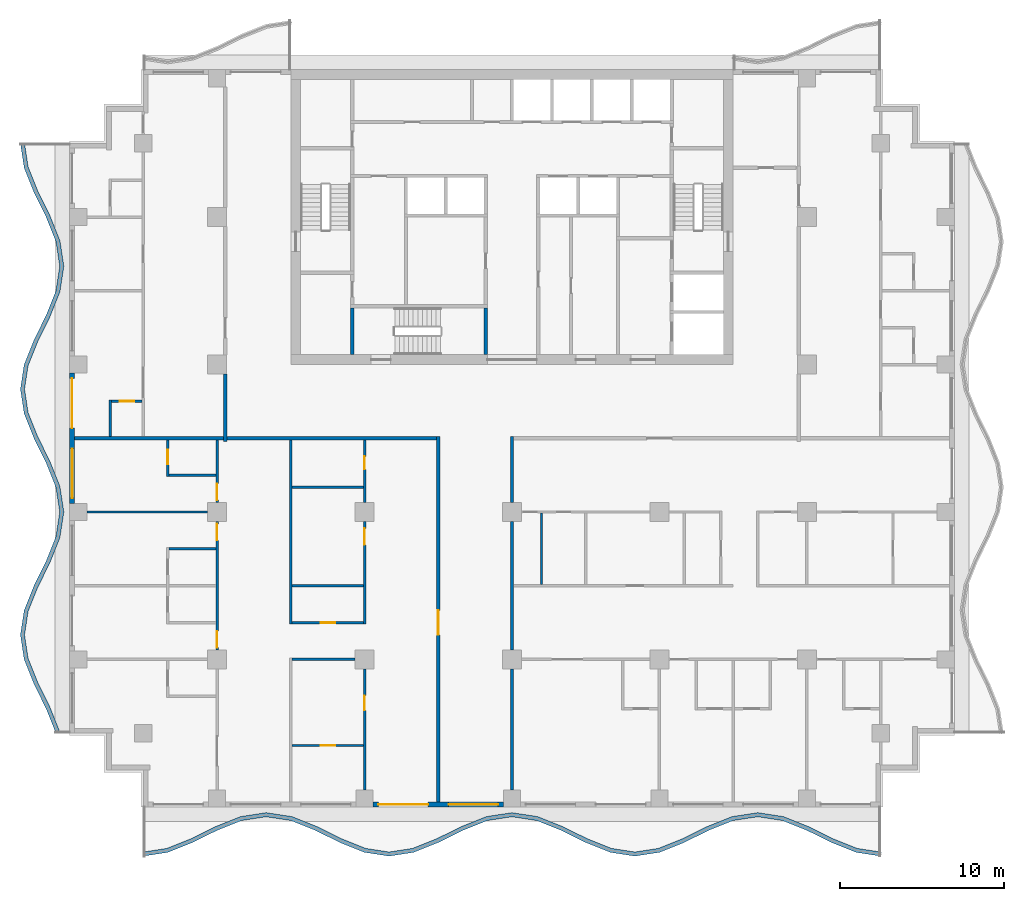
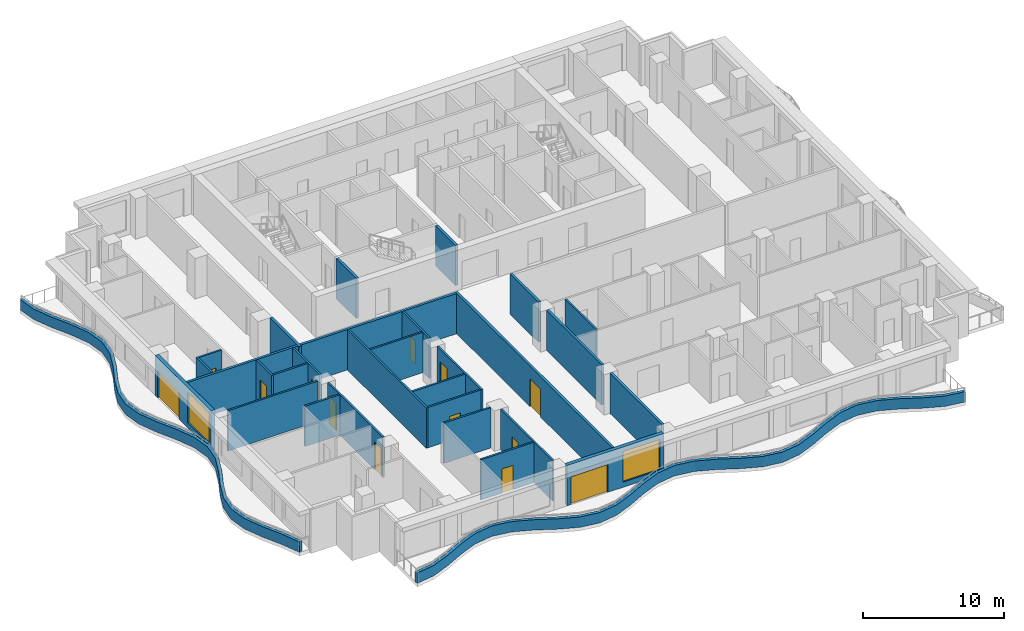
# One storey, part 2 of 11: 31 walls, 13 doors, 2 windows, 15 openings.
"""IFC4 building model written with IfcOpenShell, lengths in metres."""

from ifc_helpers import new_model, si_unit, direction, frame, frame_2d, origin, place, context, subcontext, project, spatial, polyline, rectangle, outline, extrude, material, layer, layer_set, type_object, element, fill, save


model = new_model("IFC4")

# Units and contexts
model_context = context("Model", 3, precision=1e-05, world=origin(), true_north=direction((0.0, 1.0)))
body_context = subcontext(model_context, "Body", "Model", "MODEL_VIEW")
ifc_project = project(units=[si_unit("LENGTHUNIT", "METRE"), si_unit("AREAUNIT", "SQUARE_METRE"), si_unit("VOLUMEUNIT", "CUBIC_METRE"), si_unit("PLANEANGLEUNIT", "RADIAN"), si_unit("MASSUNIT", "GRAM", prefix="KILO")], contexts=[model_context])

# Site, building, storey
site_placement = place(None, origin())
site = spatial("IfcSite", under=ifc_project, at=site_placement, CompositionType="ELEMENT")
building_placement = place(site_placement, origin())
building = spatial("IfcBuilding", under=site, at=building_placement, Name="Orbiselva Terraces", CompositionType="ELEMENT")
storey_placement = place(building_placement, frame((0.0, 0.0, 188.2)))
storey = spatial("IfcBuildingStorey", under=building, at=storey_placement, Name="L47", CompositionType="ELEMENT", Elevation=188.2)

# Walls
ifc_material_1 = material(Name="Concrete C60/75", Category="concrete")
ifc_layer_1 = layer(ifc_material_1, 0.2)
ifc_layer_set_1 = layer_set([ifc_layer_1], Name="Concrete C60/75")
wall_type_1 = type_object("IfcWallType", Name="CORE-WALL-SHEAR-200", PredefinedType="SHEAR", material=ifc_layer_set_1)
for number, where, z_axis, x_axis, name in (
    (1, (-9.75, 5.1, 0.0), (0.0, 0.0, 1.0), (0.0, 1.0, 0.0), "L47 core wall 03"),
    (2, (-1.6, 5.1, 0.0), (0.0, 0.0, 1.0), (0.0, 1.0, 0.0), "L47 core wall 17"),
):
    element("IfcWall", number, at=place(storey_placement, frame(where, z_axis=z_axis, x_axis=x_axis)), inside=storey, type_object=wall_type_1, Name=name, PredefinedType="SHEAR", context=body_context, shape_type="SweptSolid", body=[
        extrude(rectangle(XDim=2.85, YDim=0.2, at=frame_2d((1.425, 0.0))), origin(), (0.0, 0.0, 1.0), 3.5),
    ])
ifc_material_2 = material(Name="Concrete C40/50", Category="concrete")
ifc_layer_2 = layer(ifc_material_2, 0.25)
ifc_layer_set_2 = layer_set([ifc_layer_2], Name="Concrete C40/50")
wall_type_2 = type_object("IfcWallType", Name="ENV-PLANTER-250x900", PredefinedType="USERDEFINED", material=ifc_layer_set_2)
wall_1_placement = place(storey_placement, origin())
element("IfcWall", 3, at=wall_1_placement, inside=storey, type_object=wall_type_2, Name="Balcony planter L47 S", ObjectType="PLANTER", PredefinedType="USERDEFINED", context=body_context, shape_type="SweptSolid", body=[
    extrude(outline(polyline([(-22.5, -25.5), (-21.0, -25.27082), (-19.5, -24.67082), (-18.0, -23.92918), (-16.5, -23.32918), (-15.0, -23.1), (-13.5, -23.32918), (-12.0, -23.92918), (-10.5, -24.67082), (-9.0, -25.27082), (-7.5, -25.5), (-6.0, -25.27082), (-4.5, -24.67082), (-3.0, -23.92918), (-1.5, -23.32918), (0.0, -23.1), (1.5, -23.32918), (3.0, -23.92918), (4.5, -24.67082), (6.0, -25.27082), (7.5, -25.5), (9.0, -25.27082), (10.5, -24.67082), (12.0, -23.92918), (13.5, -23.32918), (15.0, -23.1), (16.5, -23.32918), (18.0, -23.92918), (19.5, -24.67082), (21.0, -25.27082), (22.5, -25.5), (22.537758, -25.252868), (21.066166, -25.028028), (19.601983, -24.442355), (18.101983, -23.700715), (16.566166, -23.086388), (15.0, -22.847099), (13.433834, -23.086388), (11.898017, -23.700715), (10.398017, -24.442355), (8.933834, -25.028028), (7.5, -25.247099), (6.066166, -25.028028), (4.601983, -24.442355), (3.101983, -23.700715), (1.566166, -23.086388), (0.0, -22.847099), (-1.566166, -23.086388), (-3.101983, -23.700715), (-4.601983, -24.442355), (-6.066166, -25.028028), (-7.5, -25.247099), (-8.933834, -25.028028), (-10.398017, -24.442355), (-11.898017, -23.700715), (-13.433834, -23.086388), (-15.0, -22.847099), (-16.566166, -23.086388), (-18.101983, -23.700715), (-19.601983, -24.442355), (-21.066166, -25.028028), (-22.537758, -25.252868), (-22.5, -25.5)])), origin(), (0.0, 0.0, 1.0), 0.9),
])
wall_2_placement = place(storey_placement, origin())
element("IfcWall", 4, at=wall_2_placement, inside=storey, type_object=wall_type_2, Name="Balcony planter L47 W", ObjectType="PLANTER", PredefinedType="USERDEFINED", context=body_context, shape_type="SweptSolid", body=[
    extrude(outline(polyline([(-30.0, 18.0), (-29.77082, 16.5), (-29.17082, 15.0), (-28.42918, 13.5), (-27.82918, 12.0), (-27.6, 10.5), (-27.82918, 9.0), (-28.42918, 7.5), (-29.17082, 6.0), (-29.77082, 4.5), (-30.0, 3.0), (-29.77082, 1.5), (-29.17082, 0.0), (-28.42918, -1.5), (-27.82918, -3.0), (-27.6, -4.5), (-27.82918, -6.0), (-28.42918, -7.5), (-29.17082, -9.0), (-29.77082, -10.5), (-30.0, -12.0), (-29.77082, -13.5), (-29.17082, -15.0), (-28.42918, -16.5), (-27.82918, -18.0), (-27.597061, -17.907152), (-28.200715, -16.398017), (-28.942355, -14.898017), (-29.528028, -13.433834), (-29.747099, -12.0), (-29.528028, -10.566166), (-28.942355, -9.101983), (-28.200715, -7.601983), (-27.586388, -6.066166), (-27.347099, -4.5), (-27.586388, -2.933834), (-28.200715, -1.398017), (-28.942355, 0.101983), (-29.528028, 1.566166), (-29.747099, 3.0), (-29.528028, 4.433834), (-28.942355, 5.898017), (-28.200715, 7.398017), (-27.586388, 8.933834), (-27.347099, 10.5), (-27.586388, 12.066166), (-28.200715, 13.601983), (-28.942355, 15.101983), (-29.528028, 16.566166), (-29.752868, 18.037758), (-30.0, 18.0)])), origin(), (0.0, 0.0, 1.0), 0.9),
])

# Wall, openings, door, window
ifc_material_3 = material(Name="Terracotta cladding on masonry backing", Category="masonry")
ifc_layer_3 = layer(ifc_material_3, 0.3)
ifc_layer_set_3 = layer_set([ifc_layer_3], Name="Terracotta cladding on masonry backing")
wall_type_3 = type_object("IfcWallType", Name="ENV-WALL-TERRACOTTA-300", PredefinedType="SOLIDWALL", material=ifc_layer_set_3)
wall_3_placement = place(storey_placement, frame((-0.525, -22.35, 0.0), z_axis=(0.0, 0.0, 1.0), x_axis=(-1.0, 0.0, 0.0)))
wall_3 = element("IfcWall", 5, at=wall_3_placement, inside=storey, type_object=wall_type_3, Name="Facade wall L47 S", PredefinedType="SOLIDWALL", context=body_context, shape_type="SweptSolid", body=[
    extrude(rectangle(XDim=7.95, YDim=0.3, at=frame_2d((3.975, 0.0))), origin(), (0.0, 0.0, 1.0), 3.5),
])
opening_1_placement = place(wall_3_placement, frame((4.6, 0.0, 0.0)))
opening_1 = element("IfcOpeningElement", 6, at=opening_1_placement, cuts=wall_3, Name="Opening Z4-A-E02", PredefinedType="OPENING", context=body_context, shape_type="SweptSolid", body=[
    extrude(rectangle(XDim=3.025, YDim=2.4, at=frame_2d((1.5125, 1.2))), frame((0.0, 0.16, 0.0), z_axis=(0.0, -1.0, 0.0), x_axis=(1.0, 0.0, 0.0)), (0.0, 0.0, 1.0), 0.32),
])
opening_2_placement = place(wall_3_placement, frame((0.325, 0.0, 0.45)))
opening_2 = element("IfcOpeningElement", 7, at=opening_2_placement, cuts=wall_3, Name="Opening WN14", PredefinedType="OPENING", context=body_context, shape_type="SweptSolid", body=[
    extrude(rectangle(XDim=3.025, YDim=2.65, at=frame_2d((1.5125, 1.325))), frame((0.0, 0.16, 0.0), z_axis=(0.0, -1.0, 0.0), x_axis=(1.0, 0.0, 0.0)), (0.0, 0.0, 1.0), 0.32),
])
ifc_material_4 = material(Name="Clear low-e glazing in aluminium frame", Category="aluminium")
door_type_1 = type_object("IfcDoorType", Name="BALCONY DOOR 3025 X 2400", OperationType="DOUBLE_DOOR_SLIDING", PredefinedType="DOOR", material=ifc_material_4)
door_1_placement = place(opening_1_placement, origin())
door_1 = element("IfcDoor", 8, at=door_1_placement, inside=storey, type_object=door_type_1, Name="Z4-A-E02", OperationType="SINGLE_SWING_LEFT", OverallHeight=2.4, OverallWidth=3.025, PredefinedType="DOOR", context=body_context, shape_type="SweptSolid", body=[
    extrude(rectangle(XDim=3.025, YDim=2.4, at=frame_2d((1.5125, 1.2))), frame((0.0, 0.025, 0.0), z_axis=(0.0, -1.0, 0.0), x_axis=(1.0, 0.0, 0.0)), (0.0, 0.0, 1.0), 0.05),
])
fill(opening_1, door_1)
window_type = type_object("IfcWindowType", Name="WINDOW 3025 X 2650 S450", PartitioningType="TRIPLE_PANEL_VERTICAL", PredefinedType="WINDOW", material=ifc_material_4)
window_1_placement = place(opening_2_placement, origin())
window_1 = element("IfcWindow", 9, at=window_1_placement, inside=storey, type_object=window_type, Name="Window L47 S", OverallHeight=2.65, OverallWidth=3.025, PartitioningType="SINGLE_PANEL", PredefinedType="WINDOW", context=body_context, shape_type="SweptSolid", body=[
    extrude(rectangle(XDim=3.025, YDim=2.65, at=frame_2d((1.5125, 1.325))), frame((0.0, 0.03, 0.0), z_axis=(0.0, -1.0, 0.0), x_axis=(1.0, 0.0, 0.0)), (0.0, 0.0, 1.0), 0.06),
])
fill(opening_2, window_1)

wall_4_placement = place(storey_placement, frame((-26.85, -3.975, 0.0), z_axis=(0.0, 0.0, 1.0), x_axis=(0.0, 1.0, 0.0)))
wall_4 = element("IfcWall", 10, at=wall_4_placement, inside=storey, type_object=wall_type_3, Name="Facade wall L47 W", PredefinedType="SOLIDWALL", context=body_context, shape_type="SweptSolid", body=[
    extrude(rectangle(XDim=7.95, YDim=0.3, at=frame_2d((3.975, 0.0))), origin(), (0.0, 0.0, 1.0), 3.5),
])
opening_3_placement = place(wall_4_placement, frame((4.6, 0.0, 0.0)))
opening_3 = element("IfcOpeningElement", 11, at=opening_3_placement, cuts=wall_4, Name="Opening Z4-A-E12", PredefinedType="OPENING", context=body_context, shape_type="SweptSolid", body=[
    extrude(rectangle(XDim=3.025, YDim=2.4, at=frame_2d((1.5125, 1.2))), frame((0.0, 0.16, 0.0), z_axis=(0.0, -1.0, 0.0), x_axis=(1.0, 0.0, 0.0)), (0.0, 0.0, 1.0), 0.32),
])
opening_4_placement = place(wall_4_placement, frame((0.325, 0.0, 0.45)))
opening_4 = element("IfcOpeningElement", 12, at=opening_4_placement, cuts=wall_4, Name="Opening WN14", PredefinedType="OPENING", context=body_context, shape_type="SweptSolid", body=[
    extrude(rectangle(XDim=3.025, YDim=2.65, at=frame_2d((1.5125, 1.325))), frame((0.0, 0.16, 0.0), z_axis=(0.0, -1.0, 0.0), x_axis=(1.0, 0.0, 0.0)), (0.0, 0.0, 1.0), 0.32),
])
door_2_placement = place(opening_3_placement, origin())
door_2 = element("IfcDoor", 13, at=door_2_placement, inside=storey, type_object=door_type_1, Name="Z4-A-E12", OperationType="SINGLE_SWING_LEFT", OverallHeight=2.4, OverallWidth=3.025, PredefinedType="DOOR", context=body_context, shape_type="SweptSolid", body=[
    extrude(rectangle(XDim=3.025, YDim=2.4, at=frame_2d((1.5125, 1.2))), frame((0.0, 0.025, 0.0), z_axis=(0.0, -1.0, 0.0), x_axis=(1.0, 0.0, 0.0)), (0.0, 0.0, 1.0), 0.05),
])
fill(opening_3, door_2)
window_2_placement = place(opening_4_placement, origin())
window_2 = element("IfcWindow", 14, at=window_2_placement, inside=storey, type_object=window_type, Name="Window L47 W", OverallHeight=2.65, OverallWidth=3.025, PartitioningType="SINGLE_PANEL", PredefinedType="WINDOW", context=body_context, shape_type="SweptSolid", body=[
    extrude(rectangle(XDim=3.025, YDim=2.65, at=frame_2d((1.5125, 1.325))), frame((0.0, 0.03, 0.0), z_axis=(0.0, -1.0, 0.0), x_axis=(1.0, 0.0, 0.0)), (0.0, 0.0, 1.0), 0.06),
])
fill(opening_4, window_2)

# Walls
ifc_material_5 = material(Name="Plasterboard on steel stud partition", Category="steel")
ifc_layer_4 = layer(ifc_material_5, 0.2)
ifc_layer_set_4 = layer_set([ifc_layer_4], Name="Plasterboard on steel stud partition")
wall_type_4 = type_object("IfcWallType", Name="UNIT-ENTRANCE-WALL-200", PredefinedType="PARTITIONING", material=ifc_layer_set_4)
wall_5_placement = place(storey_placement, frame((-17.4, 0.0, 0.0), z_axis=(0.0, 0.0, 1.0), x_axis=(1.0, 0.0, 0.0)))
element("IfcWall", 15, at=wall_5_placement, inside=storey, type_object=wall_type_4, Name="PARTITION L47-027", PredefinedType="PARTITIONING", context=body_context, shape_type="SweptSolid", body=[
    extrude(rectangle(XDim=12.8, YDim=0.2, at=frame_2d((6.4, 0.0))), origin(), (0.0, 0.0, 1.0), 3.5),
])
wall_6_placement = place(storey_placement, frame((-17.5, -0.2, 0.0), z_axis=(0.0, 0.0, 1.0), x_axis=(0.0, 1.0, 0.0)))
element("IfcWall", 16, at=wall_6_placement, inside=storey, type_object=wall_type_4, Name="PARTITION L47-050", PredefinedType="PARTITIONING", context=body_context, shape_type="SweptSolid", body=[
    extrude(rectangle(XDim=4.125, YDim=0.2, at=frame_2d((2.0625, 0.0))), origin(), (0.0, 0.0, 1.0), 3.5),
])

# Wall, opening, door
wall_7_placement = place(storey_placement, frame((-4.5, -22.2, 0.0), z_axis=(0.0, 0.0, 1.0), x_axis=(0.0, 1.0, 0.0)))
wall_7 = element("IfcWall", 17, at=wall_7_placement, inside=storey, type_object=wall_type_4, Name="PARTITION L47-058", PredefinedType="PARTITIONING", context=body_context, shape_type="SweptSolid", body=[
    extrude(rectangle(XDim=22.3, YDim=0.2, at=frame_2d((11.15, 0.0))), origin(), (0.0, 0.0, 1.0), 3.5),
])
opening_5_placement = place(wall_7_placement, frame((10.2, 0.0, 0.0)))
opening_5 = element("IfcOpeningElement", 18, at=opening_5_placement, cuts=wall_7, Name="Opening Z4-A-14", PredefinedType="OPENING", context=body_context, shape_type="SweptSolid", body=[
    extrude(rectangle(XDim=1.5, YDim=2.4, at=frame_2d((0.75, 1.2))), frame((0.0, 0.11, 0.0), z_axis=(0.0, -1.0, 0.0), x_axis=(1.0, 0.0, 0.0)), (0.0, 0.0, 1.0), 0.22),
])
ifc_material_6 = material(Name="Painted timber door leaf", Category="wood")
door_type_2 = type_object("IfcDoorType", Name="ENTRANCE DOUBLE DOOR 1500", OperationType="NOTDEFINED", PredefinedType="DOOR", material=ifc_material_6)
door_3_placement = place(opening_5_placement, origin())
door_3 = element("IfcDoor", 19, at=door_3_placement, inside=storey, type_object=door_type_2, Name="Z4-A-14", OperationType="DOUBLE_DOOR_SINGLE_SWING", OverallHeight=2.4, OverallWidth=1.5, PredefinedType="DOOR", context=body_context, shape_type="SweptSolid", body=[
    extrude(rectangle(XDim=1.5, YDim=2.4, at=frame_2d((0.75, 1.2))), frame((0.0, 0.025, 0.0), z_axis=(0.0, -1.0, 0.0), x_axis=(1.0, 0.0, 0.0)), (0.0, 0.0, 1.0), 0.05),
])
fill(opening_5, door_3)

# Walls
wall_8_placement = place(storey_placement, frame((0.0, -21.45, 0.0), z_axis=(0.0, 0.0, 1.0), x_axis=(0.0, 1.0, 0.0)))
element("IfcWall", 20, at=wall_8_placement, inside=storey, type_object=wall_type_4, Name="PARTITION L47-059", PredefinedType="PARTITIONING", context=body_context, shape_type="SweptSolid", body=[
    extrude(rectangle(XDim=7.375, YDim=0.2, at=frame_2d((3.6875, 0.0))), origin(), (0.0, 0.0, 1.0), 3.5),
])
wall_9_placement = place(storey_placement, frame((0.0, -12.925, 0.0), z_axis=(0.0, 0.0, 1.0), x_axis=(0.0, 1.0, 0.0)))
element("IfcWall", 21, at=wall_9_placement, inside=storey, type_object=wall_type_4, Name="PARTITION L47-060", PredefinedType="PARTITIONING", context=body_context, shape_type="SweptSolid", body=[
    extrude(rectangle(XDim=7.85, YDim=0.2, at=frame_2d((3.925, 0.0))), origin(), (0.0, 0.0, 1.0), 3.5),
])
wall_10_placement = place(storey_placement, frame((0.0, -3.925, 0.0), z_axis=(0.0, 0.0, 1.0), x_axis=(0.0, 1.0, 0.0)))
element("IfcWall", 22, at=wall_10_placement, inside=storey, type_object=wall_type_4, Name="PARTITION L47-061", PredefinedType="PARTITIONING", context=body_context, shape_type="SweptSolid", body=[
    extrude(rectangle(XDim=4.025, YDim=0.2, at=frame_2d((2.0125, 0.0))), origin(), (0.0, 0.0, 1.0), 3.5),
])

# Wall, opening, door
ifc_layer_5 = layer(ifc_material_5, 0.15)
ifc_layer_set_5 = layer_set([ifc_layer_5], Name="Plasterboard on steel stud partition")
wall_type_5 = type_object("IfcWallType", Name="UNIT-PARTITION-150", PredefinedType="PARTITIONING", material=ifc_layer_set_5)
wall_11_placement = place(storey_placement, frame((-9.075, -18.75, 0.0), z_axis=(0.0, 0.0, 1.0), x_axis=(-1.0, 0.0, 0.0)))
wall_11 = element("IfcWall", 23, at=wall_11_placement, inside=storey, type_object=wall_type_5, Name="PARTITION L47-001", PredefinedType="PARTITIONING", context=body_context, shape_type="SweptSolid", body=[
    extrude(rectangle(XDim=4.35, YDim=0.15, at=frame_2d((2.175, 0.0))), origin(), (0.0, 0.0, 1.0), 3.5),
])
opening_6_placement = place(wall_11_placement, frame((1.7, 0.0, 0.0)))
opening_6 = element("IfcOpeningElement", 24, at=opening_6_placement, cuts=wall_11, Name="Opening Z4-A-19", PredefinedType="OPENING", context=body_context, shape_type="SweptSolid", body=[
    extrude(rectangle(XDim=0.9, YDim=2.1, at=frame_2d((0.45, 1.05))), frame((0.0, 0.085, 0.0), z_axis=(0.0, -1.0, 0.0), x_axis=(1.0, 0.0, 0.0)), (0.0, 0.0, 1.0), 0.17),
])
door_type_3 = type_object("IfcDoorType", Name="BATH DOOR 900", OperationType="NOTDEFINED", PredefinedType="DOOR", material=ifc_material_6)
door_4_placement = place(opening_6_placement, origin())
door_4 = element("IfcDoor", 25, at=door_4_placement, inside=storey, type_object=door_type_3, Name="Z4-A-19", OperationType="SINGLE_SWING_LEFT", OverallHeight=2.1, OverallWidth=0.9, PredefinedType="DOOR", context=body_context, shape_type="SweptSolid", body=[
    extrude(rectangle(XDim=0.9, YDim=2.1, at=frame_2d((0.45, 1.05))), frame((0.0, 0.025, 0.0), z_axis=(0.0, -1.0, 0.0), x_axis=(1.0, 0.0, 0.0)), (0.0, 0.0, 1.0), 0.05),
])
fill(opening_6, door_4)

# Wall
wall_12_placement = place(storey_placement, frame((-13.425, -13.5, 0.0), z_axis=(0.0, 0.0, 1.0), x_axis=(1.0, 0.0, 0.0)))
element("IfcWall", 26, at=wall_12_placement, inside=storey, type_object=wall_type_5, Name="PARTITION L47-008", PredefinedType="PARTITIONING", context=body_context, shape_type="SweptSolid", body=[
    extrude(rectangle(XDim=3.85, YDim=0.15, at=frame_2d((1.925, 0.0))), origin(), (0.0, 0.0, 1.0), 3.5),
])

# Wall, opening, door
wall_13_placement = place(storey_placement, frame((-13.425, -11.25, 0.0), z_axis=(0.0, 0.0, 1.0), x_axis=(1.0, 0.0, 0.0)))
wall_13 = element("IfcWall", 27, at=wall_13_placement, inside=storey, type_object=wall_type_5, Name="PARTITION L47-013", PredefinedType="PARTITIONING", context=body_context, shape_type="SweptSolid", body=[
    extrude(rectangle(XDim=4.35, YDim=0.15, at=frame_2d((2.175, 0.0))), origin(), (0.0, 0.0, 1.0), 3.5),
])
opening_7_placement = place(wall_13_placement, frame((1.75, 0.0, 0.0)))
opening_7 = element("IfcOpeningElement", 28, at=opening_7_placement, cuts=wall_13, Name="Opening Z4-A-17", PredefinedType="OPENING", context=body_context, shape_type="SweptSolid", body=[
    extrude(rectangle(XDim=0.9, YDim=2.1, at=frame_2d((0.45, 1.05))), frame((0.0, 0.085, 0.0), z_axis=(0.0, -1.0, 0.0), x_axis=(1.0, 0.0, 0.0)), (0.0, 0.0, 1.0), 0.17),
])
door_5_placement = place(opening_7_placement, origin())
door_5 = element("IfcDoor", 29, at=door_5_placement, inside=storey, type_object=door_type_3, Name="Z4-A-17", OperationType="SINGLE_SWING_RIGHT", OverallHeight=2.1, OverallWidth=0.9, PredefinedType="DOOR", context=body_context, shape_type="SweptSolid", body=[
    extrude(rectangle(XDim=0.9, YDim=2.1, at=frame_2d((0.45, 1.05))), frame((0.0, 0.025, 0.0), z_axis=(0.0, -1.0, 0.0), x_axis=(1.0, 0.0, 0.0)), (0.0, 0.0, 1.0), 0.05),
])
fill(opening_7, door_5)

# Walls
wall_14_placement = place(storey_placement, frame((-13.425, -9.0, 0.0), z_axis=(0.0, 0.0, 1.0), x_axis=(1.0, 0.0, 0.0)))
element("IfcWall", 30, at=wall_14_placement, inside=storey, type_object=wall_type_5, Name="PARTITION L47-016", PredefinedType="PARTITIONING", context=body_context, shape_type="SweptSolid", body=[
    extrude(rectangle(XDim=4.35, YDim=0.15, at=frame_2d((2.175, 0.0))), origin(), (0.0, 0.0, 1.0), 3.5),
])
wall_15_placement = place(storey_placement, frame((-20.925, -6.75, 0.0), z_axis=(0.0, 0.0, 1.0), x_axis=(1.0, 0.0, 0.0)))
element("IfcWall", 31, at=wall_15_placement, inside=storey, type_object=wall_type_5, Name="PARTITION L47-019", PredefinedType="PARTITIONING", context=body_context, shape_type="SweptSolid", body=[
    extrude(rectangle(XDim=2.85, YDim=0.15, at=frame_2d((1.425, 0.0))), origin(), (0.0, 0.0, 1.0), 3.5),
])
wall_16_placement = place(storey_placement, frame((-25.95, -4.5, 0.0), z_axis=(0.0, 0.0, 1.0), x_axis=(1.0, 0.0, 0.0)))
element("IfcWall", 32, at=wall_16_placement, inside=storey, type_object=wall_type_5, Name="PARTITION L47-020", PredefinedType="PARTITIONING", context=body_context, shape_type="SweptSolid", body=[
    extrude(rectangle(XDim=7.375, YDim=0.15, at=frame_2d((3.6875, 0.0))), origin(), (0.0, 0.0, 1.0), 3.5),
])
wall_17_placement = place(storey_placement, frame((-13.425, -3.0, 0.0), z_axis=(0.0, 0.0, 1.0), x_axis=(1.0, 0.0, 0.0)))
element("IfcWall", 33, at=wall_17_placement, inside=storey, type_object=wall_type_5, Name="PARTITION L47-025", PredefinedType="PARTITIONING", context=body_context, shape_type="SweptSolid", body=[
    extrude(rectangle(XDim=4.35, YDim=0.15, at=frame_2d((2.175, 0.0))), origin(), (0.0, 0.0, 1.0), 3.5),
])
wall_18_placement = place(storey_placement, frame((-20.925, -2.25, 0.0), z_axis=(0.0, 0.0, 1.0), x_axis=(1.0, 0.0, 0.0)))
element("IfcWall", 34, at=wall_18_placement, inside=storey, type_object=wall_type_5, Name="PARTITION L47-026", PredefinedType="PARTITIONING", context=body_context, shape_type="SweptSolid", body=[
    extrude(rectangle(XDim=2.85, YDim=0.15, at=frame_2d((1.425, 0.0))), origin(), (0.0, 0.0, 1.0), 3.5),
])

# Wall, opening, door
wall_19_placement = place(storey_placement, frame((-22.575, 2.25, 0.0), z_axis=(0.0, 0.0, 1.0), x_axis=(-1.0, 0.0, 0.0)))
wall_19 = element("IfcWall", 35, at=wall_19_placement, inside=storey, type_object=wall_type_5, Name="PARTITION L47-031", PredefinedType="PARTITIONING", context=body_context, shape_type="SweptSolid", body=[
    extrude(rectangle(XDim=1.875, YDim=0.15, at=frame_2d((0.9375, 0.0))), origin(), (0.0, 0.0, 1.0), 3.5),
])
opening_8_placement = place(wall_19_placement, frame((0.475, 0.0, 0.0)))
opening_8 = element("IfcOpeningElement", 36, at=opening_8_placement, cuts=wall_19, Name="Opening Z4-A-04", PredefinedType="OPENING", context=body_context, shape_type="SweptSolid", body=[
    extrude(rectangle(XDim=0.9, YDim=2.1, at=frame_2d((0.45, 1.05))), frame((0.0, 0.085, 0.0), z_axis=(0.0, -1.0, 0.0), x_axis=(1.0, 0.0, 0.0)), (0.0, 0.0, 1.0), 0.17),
])
door_6_placement = place(opening_8_placement, origin())
door_6 = element("IfcDoor", 37, at=door_6_placement, inside=storey, type_object=door_type_3, Name="Z4-A-04", OperationType="SINGLE_SWING_LEFT", OverallHeight=2.1, OverallWidth=0.9, PredefinedType="DOOR", context=body_context, shape_type="SweptSolid", body=[
    extrude(rectangle(XDim=0.9, YDim=2.1, at=frame_2d((0.45, 1.05))), frame((0.0, 0.025, 0.0), z_axis=(0.0, -1.0, 0.0), x_axis=(1.0, 0.0, 0.0)), (0.0, 0.0, 1.0), 0.05),
])
fill(opening_8, door_6)

# Wall
wall_20_placement = place(storey_placement, frame((-24.525, 0.1, 0.0), z_axis=(0.0, 0.0, 1.0), x_axis=(0.0, 1.0, 0.0)))
element("IfcWall", 38, at=wall_20_placement, inside=storey, type_object=wall_type_5, Name="PARTITION L47-040", PredefinedType="PARTITIONING", context=body_context, shape_type="SweptSolid", body=[
    extrude(rectangle(XDim=2.225, YDim=0.15, at=frame_2d((1.1125, 0.0))), origin(), (0.0, 0.0, 1.0), 3.5),
])

# Wall, opening, door
wall_21_placement = place(storey_placement, frame((-21.0, -0.1, 0.0), z_axis=(0.0, 0.0, 1.0), x_axis=(0.0, -1.0, 0.0)))
wall_21 = element("IfcWall", 39, at=wall_21_placement, inside=storey, type_object=wall_type_5, Name="PARTITION L47-046", PredefinedType="PARTITIONING", context=body_context, shape_type="SweptSolid", body=[
    extrude(rectangle(XDim=2.225, YDim=0.15, at=frame_2d((1.1125, 0.0))), origin(), (0.0, 0.0, 1.0), 3.5),
])
opening_9_placement = place(wall_21_placement, frame((0.6, 0.0, 0.0)))
opening_9 = element("IfcOpeningElement", 40, at=opening_9_placement, cuts=wall_21, Name="Opening Z4-A-21", PredefinedType="OPENING", context=body_context, shape_type="SweptSolid", body=[
    extrude(rectangle(XDim=0.9, YDim=2.1, at=frame_2d((0.45, 1.05))), frame((0.0, 0.085, 0.0), z_axis=(0.0, -1.0, 0.0), x_axis=(1.0, 0.0, 0.0)), (0.0, 0.0, 1.0), 0.17),
])
door_7_placement = place(opening_9_placement, origin())
door_7 = element("IfcDoor", 41, at=door_7_placement, inside=storey, type_object=door_type_3, Name="Z4-A-21", OperationType="SINGLE_SWING_LEFT", OverallHeight=2.1, OverallWidth=0.9, PredefinedType="DOOR", context=body_context, shape_type="SweptSolid", body=[
    extrude(rectangle(XDim=0.9, YDim=2.1, at=frame_2d((0.45, 1.05))), frame((0.0, 0.025, 0.0), z_axis=(0.0, -1.0, 0.0), x_axis=(1.0, 0.0, 0.0)), (0.0, 0.0, 1.0), 0.05),
])
fill(opening_9, door_7)

# Wall, openings, doors
wall_22_placement = place(storey_placement, frame((-18.0, -12.925, 0.0), z_axis=(0.0, 0.0, 1.0), x_axis=(0.0, 1.0, 0.0)))
wall_22 = element("IfcWall", 42, at=wall_22_placement, inside=storey, type_object=wall_type_5, Name="PARTITION L47-048", PredefinedType="PARTITIONING", context=body_context, shape_type="SweptSolid", body=[
    extrude(rectangle(XDim=7.85, YDim=0.15, at=frame_2d((3.925, 0.0))), origin(), (0.0, 0.0, 1.0), 3.5),
])
opening_10_placement = place(wall_22_placement, frame((6.7, 0.0, 0.0)))
opening_10 = element("IfcOpeningElement", 43, at=opening_10_placement, cuts=wall_22, Name="Opening Z4-A-22", PredefinedType="OPENING", context=body_context, shape_type="SweptSolid", body=[
    extrude(rectangle(XDim=1.0, YDim=2.4, at=frame_2d((0.5, 1.2))), frame((0.0, 0.085, 0.0), z_axis=(0.0, -1.0, 0.0), x_axis=(1.0, 0.0, 0.0)), (0.0, 0.0, 1.0), 0.17),
])
opening_11_placement = place(wall_22_placement, frame((0.15, 0.0, 0.0)))
opening_11 = element("IfcOpeningElement", 44, at=opening_11_placement, cuts=wall_22, Name="Opening Z4-A-24", PredefinedType="OPENING", context=body_context, shape_type="SweptSolid", body=[
    extrude(rectangle(XDim=1.0, YDim=2.4, at=frame_2d((0.5, 1.2))), frame((0.0, 0.085, 0.0), z_axis=(0.0, -1.0, 0.0), x_axis=(1.0, 0.0, 0.0)), (0.0, 0.0, 1.0), 0.17),
])
door_type_4 = type_object("IfcDoorType", Name="ROOM DOOR 1000", OperationType="NOTDEFINED", PredefinedType="DOOR", material=ifc_material_6)
door_8_placement = place(opening_10_placement, origin())
door_8 = element("IfcDoor", 45, at=door_8_placement, inside=storey, type_object=door_type_4, Name="Z4-A-22", OperationType="SINGLE_SWING_RIGHT", OverallHeight=2.4, OverallWidth=1.0, PredefinedType="DOOR", context=body_context, shape_type="SweptSolid", body=[
    extrude(rectangle(XDim=1.0, YDim=2.4, at=frame_2d((0.5, 1.2))), frame((0.0, 0.025, 0.0), z_axis=(0.0, -1.0, 0.0), x_axis=(1.0, 0.0, 0.0)), (0.0, 0.0, 1.0), 0.05),
])
fill(opening_10, door_8)
door_9_placement = place(opening_11_placement, origin())
door_9 = element("IfcDoor", 46, at=door_9_placement, inside=storey, type_object=door_type_4, Name="Z4-A-24", OperationType="SINGLE_SWING_LEFT", OverallHeight=2.4, OverallWidth=1.0, PredefinedType="DOOR", context=body_context, shape_type="SweptSolid", body=[
    extrude(rectangle(XDim=1.0, YDim=2.4, at=frame_2d((0.5, 1.2))), frame((0.0, 0.025, 0.0), z_axis=(0.0, -1.0, 0.0), x_axis=(1.0, 0.0, 0.0)), (0.0, 0.0, 1.0), 0.05),
])
fill(opening_11, door_9)

# Wall, opening, door
wall_23_placement = place(storey_placement, frame((-18.0, -3.925, 0.0), z_axis=(0.0, 0.0, 1.0), x_axis=(0.0, 1.0, 0.0)))
wall_23 = element("IfcWall", 47, at=wall_23_placement, inside=storey, type_object=wall_type_5, Name="PARTITION L47-049", PredefinedType="PARTITIONING", context=body_context, shape_type="SweptSolid", body=[
    extrude(rectangle(XDim=3.825, YDim=0.15, at=frame_2d((1.9125, 0.0))), origin(), (0.0, 0.0, 1.0), 3.5),
])
opening_12_placement = place(wall_23_placement, frame((0.15, 0.0, 0.0)))
opening_12 = element("IfcOpeningElement", 48, at=opening_12_placement, cuts=wall_23, Name="Opening Z4-A-20", PredefinedType="OPENING", context=body_context, shape_type="SweptSolid", body=[
    extrude(rectangle(XDim=1.0, YDim=2.4, at=frame_2d((0.5, 1.2))), frame((0.0, 0.085, 0.0), z_axis=(0.0, -1.0, 0.0), x_axis=(1.0, 0.0, 0.0)), (0.0, 0.0, 1.0), 0.17),
])
door_10_placement = place(opening_12_placement, origin())
door_10 = element("IfcDoor", 49, at=door_10_placement, inside=storey, type_object=door_type_4, Name="Z4-A-20", OperationType="SINGLE_SWING_LEFT", OverallHeight=2.4, OverallWidth=1.0, PredefinedType="DOOR", context=body_context, shape_type="SweptSolid", body=[
    extrude(rectangle(XDim=1.0, YDim=2.4, at=frame_2d((0.5, 1.2))), frame((0.0, 0.025, 0.0), z_axis=(0.0, -1.0, 0.0), x_axis=(1.0, 0.0, 0.0)), (0.0, 0.0, 1.0), 0.05),
])
fill(opening_12, door_10)

# Wall
wall_24_placement = place(storey_placement, frame((-13.5, -11.325, 0.0), z_axis=(0.0, 0.0, 1.0), x_axis=(0.0, 1.0, 0.0)))
element("IfcWall", 50, at=wall_24_placement, inside=storey, type_object=wall_type_5, Name="PARTITION L47-054", PredefinedType="PARTITIONING", context=body_context, shape_type="SweptSolid", body=[
    extrude(rectangle(XDim=11.225, YDim=0.15, at=frame_2d((5.6125, 0.0))), origin(), (0.0, 0.0, 1.0), 3.5),
])

# Wall, opening, door
wall_25_placement = place(storey_placement, frame((-9.0, -21.45, 0.0), z_axis=(0.0, 0.0, 1.0), x_axis=(0.0, 1.0, 0.0)))
wall_25 = element("IfcWall", 51, at=wall_25_placement, inside=storey, type_object=wall_type_5, Name="PARTITION L47-055", PredefinedType="PARTITIONING", context=body_context, shape_type="SweptSolid", body=[
    extrude(rectangle(XDim=7.375, YDim=0.15, at=frame_2d((3.6875, 0.0))), origin(), (0.0, 0.0, 1.0), 3.5),
])
opening_13_placement = place(wall_25_placement, frame((4.85, 0.0, 0.0)))
opening_13 = element("IfcOpeningElement", 52, at=opening_13_placement, cuts=wall_25, Name="Opening Z4-A-18", PredefinedType="OPENING", context=body_context, shape_type="SweptSolid", body=[
    extrude(rectangle(XDim=0.9, YDim=2.1, at=frame_2d((0.45, 1.05))), frame((0.0, 0.085, 0.0), z_axis=(0.0, -1.0, 0.0), x_axis=(1.0, 0.0, 0.0)), (0.0, 0.0, 1.0), 0.17),
])
door_type_5 = type_object("IfcDoorType", Name="SERVICE DOOR 900", OperationType="NOTDEFINED", PredefinedType="DOOR", material=ifc_material_6)
door_11_placement = place(opening_13_placement, origin())
door_11 = element("IfcDoor", 53, at=door_11_placement, inside=storey, type_object=door_type_5, Name="Z4-A-18", OperationType="SINGLE_SWING_RIGHT", OverallHeight=2.1, OverallWidth=0.9, PredefinedType="DOOR", context=body_context, shape_type="SweptSolid", body=[
    extrude(rectangle(XDim=0.9, YDim=2.1, at=frame_2d((0.45, 1.05))), frame((0.0, 0.025, 0.0), z_axis=(0.0, -1.0, 0.0), x_axis=(1.0, 0.0, 0.0)), (0.0, 0.0, 1.0), 0.05),
])
fill(opening_13, door_11)

wall_26_placement = place(storey_placement, frame((-9.0, -11.325, 0.0), z_axis=(0.0, 0.0, 1.0), x_axis=(0.0, 1.0, 0.0)))
wall_26 = element("IfcWall", 54, at=wall_26_placement, inside=storey, type_object=wall_type_5, Name="PARTITION L47-056", PredefinedType="PARTITIONING", context=body_context, shape_type="SweptSolid", body=[
    extrude(rectangle(XDim=6.25, YDim=0.15, at=frame_2d((3.125, 0.0))), origin(), (0.0, 0.0, 1.0), 3.5),
])
opening_14_placement = place(wall_26_placement, frame((4.825, 0.0, 0.0)))
opening_14 = element("IfcOpeningElement", 55, at=opening_14_placement, cuts=wall_26, Name="Opening Z4-A-16", PredefinedType="OPENING", context=body_context, shape_type="SweptSolid", body=[
    extrude(rectangle(XDim=1.0, YDim=2.4, at=frame_2d((0.5, 1.2))), frame((0.0, 0.085, 0.0), z_axis=(0.0, -1.0, 0.0), x_axis=(1.0, 0.0, 0.0)), (0.0, 0.0, 1.0), 0.17),
])
door_12_placement = place(opening_14_placement, origin())
door_12 = element("IfcDoor", 56, at=door_12_placement, inside=storey, type_object=door_type_4, Name="Z4-A-16", OperationType="SINGLE_SWING_RIGHT", OverallHeight=2.4, OverallWidth=1.0, PredefinedType="DOOR", context=body_context, shape_type="SweptSolid", body=[
    extrude(rectangle(XDim=1.0, YDim=2.4, at=frame_2d((0.5, 1.2))), frame((0.0, 0.025, 0.0), z_axis=(0.0, -1.0, 0.0), x_axis=(1.0, 0.0, 0.0)), (0.0, 0.0, 1.0), 0.05),
])
fill(opening_14, door_12)

wall_27_placement = place(storey_placement, frame((-9.0, -3.925, 0.0), z_axis=(0.0, 0.0, 1.0), x_axis=(0.0, 1.0, 0.0)))
wall_27 = element("IfcWall", 57, at=wall_27_placement, inside=storey, type_object=wall_type_5, Name="PARTITION L47-057", PredefinedType="PARTITIONING", context=body_context, shape_type="SweptSolid", body=[
    extrude(rectangle(XDim=3.825, YDim=0.15, at=frame_2d((1.9125, 0.0))), origin(), (0.0, 0.0, 1.0), 3.5),
])
opening_15_placement = place(wall_27_placement, frame((2.025, 0.0, 0.0)))
opening_15 = element("IfcOpeningElement", 58, at=opening_15_placement, cuts=wall_27, Name="Opening Z4-A-15", PredefinedType="OPENING", context=body_context, shape_type="SweptSolid", body=[
    extrude(rectangle(XDim=0.8, YDim=2.0, at=frame_2d((0.4, 1.0))), frame((0.0, 0.085, 0.0), z_axis=(0.0, -1.0, 0.0), x_axis=(1.0, 0.0, 0.0)), (0.0, 0.0, 1.0), 0.17),
])
door_type_6 = type_object("IfcDoorType", Name="STORE DOOR 800", OperationType="NOTDEFINED", PredefinedType="DOOR", material=ifc_material_6)
door_13_placement = place(opening_15_placement, origin())
door_13 = element("IfcDoor", 59, at=door_13_placement, inside=storey, type_object=door_type_6, Name="Z4-A-15", OperationType="SINGLE_SWING_RIGHT", OverallHeight=2.0, OverallWidth=0.8, PredefinedType="DOOR", context=body_context, shape_type="SweptSolid", body=[
    extrude(rectangle(XDim=0.8, YDim=2.0, at=frame_2d((0.4, 1.0))), frame((0.0, 0.025, 0.0), z_axis=(0.0, -1.0, 0.0), x_axis=(1.0, 0.0, 0.0)), (0.0, 0.0, 1.0), 0.05),
])
fill(opening_15, door_13)

# Walls
wall_28_placement = place(storey_placement, frame((1.8, -8.925, 0.0), z_axis=(0.0, 0.0, 1.0), x_axis=(0.0, 1.0, 0.0)))
element("IfcWall", 60, at=wall_28_placement, inside=storey, type_object=wall_type_5, Name="PARTITION L47-062", PredefinedType="PARTITIONING", context=body_context, shape_type="SweptSolid", body=[
    extrude(rectangle(XDim=4.35, YDim=0.15, at=frame_2d((2.175, 0.0))), origin(), (0.0, 0.0, 1.0), 3.5),
])
ifc_layer_6 = layer(ifc_material_5, 0.2)
ifc_layer_set_6 = layer_set([ifc_layer_6], Name="Plasterboard on steel stud partition")
wall_type_6 = type_object("IfcWallType", Name="UNIT-PARTY-WALL-200", PredefinedType="PARTITIONING", material=ifc_layer_set_6)
wall_29_placement = place(storey_placement, frame((-26.7, 0.0, 0.0), z_axis=(0.0, 0.0, 1.0), x_axis=(1.0, 0.0, 0.0)))
element("IfcWall", 61, at=wall_29_placement, inside=storey, type_object=wall_type_6, Name="PARTITION L47-029", PredefinedType="PARTITIONING", context=body_context, shape_type="SweptSolid", body=[
    extrude(rectangle(XDim=9.1, YDim=0.2, at=frame_2d((4.55, 0.0))), origin(), (0.0, 0.0, 1.0), 3.5),
])

save(model, "model.ifc")
